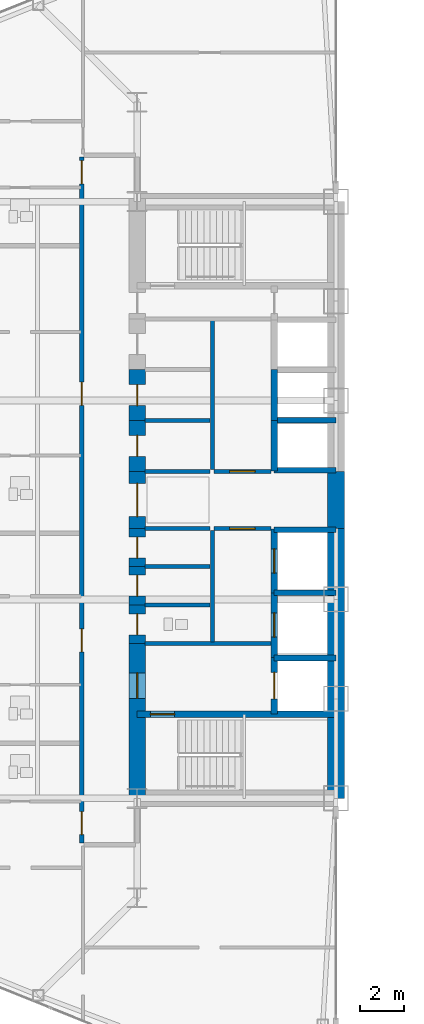
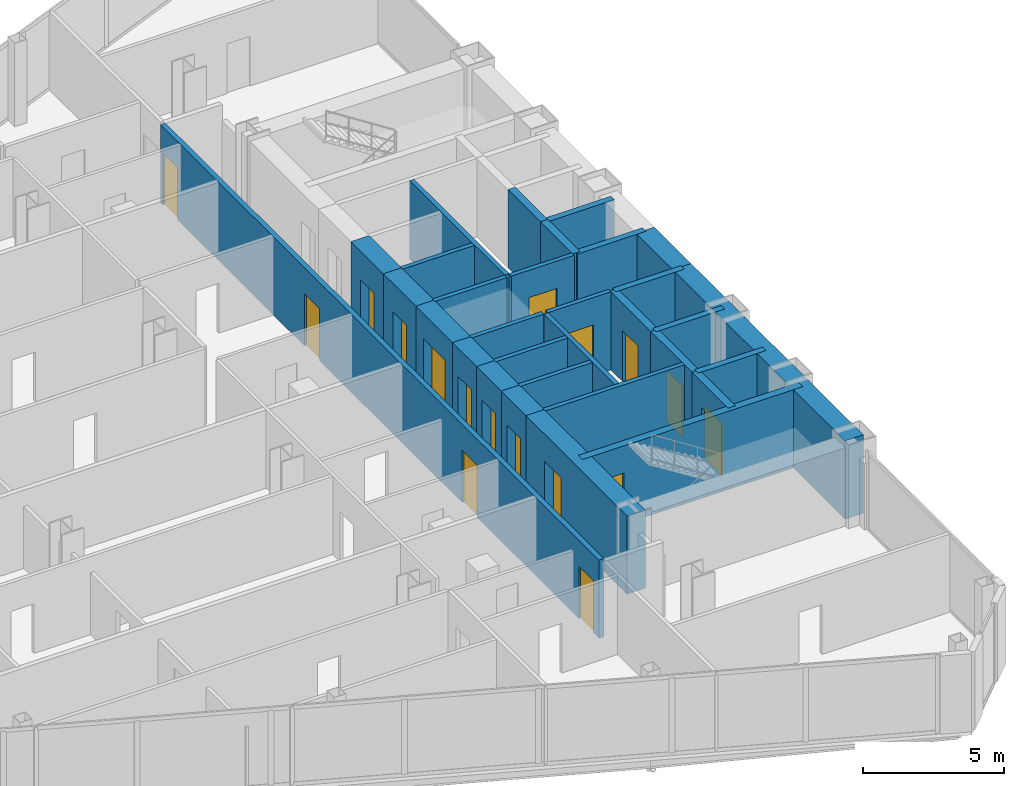
# One storey, part 18 of 25: 31 walls, 17 doors, 17 openings.
"""IFC4 building model written with IfcOpenShell, lengths in metres."""

from ifc_helpers import new_model, si_unit, direction, frame, frame_2d, origin, place, context, subcontext, project, spatial, rectangle, extrude, source, transform, mapped, material, layer, layer_set, type_object, type_shapes, element, fill, save


model = new_model("IFC4")

# Units and contexts
model_context = context("Model", 3, precision=1e-05, world=origin(), true_north=direction((0.0, 1.0)))
body_context = subcontext(model_context, "Body", "Model", "MODEL_VIEW")
ifc_project = project(units=[si_unit("LENGTHUNIT", "METRE"), si_unit("AREAUNIT", "SQUARE_METRE"), si_unit("VOLUMEUNIT", "CUBIC_METRE"), si_unit("PLANEANGLEUNIT", "RADIAN"), si_unit("MASSUNIT", "GRAM", prefix="KILO")], contexts=[model_context])

# Site, building, storey
site_placement = place(None, origin())
site = spatial("IfcSite", under=ifc_project, at=site_placement, CompositionType="ELEMENT")
building_placement = place(site_placement, origin())
building = spatial("IfcBuilding", under=site, at=building_placement, Name="Seokmaru Belvedere", CompositionType="ELEMENT")
storey_placement = place(building_placement, frame((0.0, 0.0, 36.89990234375)))
storey = spatial("IfcBuildingStorey", under=building, at=storey_placement, Name="L09", CompositionType="ELEMENT", Elevation=36.89990234375)

# Walls
ifc_material_1 = material(Name="Fire-Rated Gypsum Shaftwall")
ifc_layer_1 = layer(ifc_material_1, 0.179931640625)
ifc_layer_set_1 = layer_set([ifc_layer_1], Name="Fire-Rated Gypsum Shaftwall")
wall_type_1 = type_object("IfcWallType", Name="Core Service Fire Partition 180", PredefinedType="PARTITIONING", material=ifc_layer_set_1)
wall_1_placement = place(storey_placement, frame((-36.14990234375, -6.5, 0.0), z_axis=(0.0, 0.0, 1.0), x_axis=(1.0, 0.0, 0.0)))
element("IfcWall", 1, at=wall_1_placement, inside=storey, type_object=wall_type_1, Name="L09 West Firefighting Lobby Partition", PredefinedType="PARTITIONING", context=body_context, shape_type="SweptSolid", body=[
    extrude(rectangle(XDim=5.699951171875, YDim=0.179931640625, at=frame_2d((2.85009765625, 0.0))), origin(), (0.0, 0.0, 1.0), 3.380126953125),
])
wall_2_placement = place(storey_placement, frame((-33.10009765625, -6.419921875, 0.0), z_axis=(0.0, 0.0, 1.0), x_axis=(0.0, 1.0, 0.0)))
element("IfcWall", 2, at=wall_2_placement, inside=storey, type_object=wall_type_1, Name="L09 West South Core Service Back Wall", PredefinedType="PARTITIONING", context=body_context, shape_type="SweptSolid", body=[
    extrude(rectangle(XDim=5.0400390625, YDim=0.179931640625, at=frame_2d((2.52001953125, 0.0))), origin(), (0.0, 0.0, 1.0), 3.380126953125),
])
wall_3_placement = place(storey_placement, frame((-33.10009765625, 1.3798828125, 0.0), z_axis=(0.0, 0.0, 1.0), x_axis=(0.0, 1.0, 0.0)))
element("IfcWall", 3, at=wall_3_placement, inside=storey, type_object=wall_type_1, Name="L09 West North Core Service Back Wall", PredefinedType="PARTITIONING", context=body_context, shape_type="SweptSolid", body=[
    extrude(rectangle(XDim=6.740234375, YDim=0.179931640625, at=frame_2d((3.3701171875, 0.0))), origin(), (0.0, 0.0, 1.0), 3.380126953125),
])

# Wall, opening, door
wall_4_placement = place(storey_placement, frame((-33.02001953125, -1.300048828125, 0.0), z_axis=(0.0, 0.0, 1.0), x_axis=(1.0, 0.0, 0.0)))
wall_4 = element("IfcWall", 4, at=wall_4_placement, inside=storey, type_object=wall_type_1, Name="L09 West South Lift Lobby Foyer Wall", PredefinedType="PARTITIONING", context=body_context, shape_type="SweptSolid", body=[
    extrude(rectangle(XDim=2.570068359375, YDim=0.179931640625, at=frame_2d((1.28515625, 0.0))), origin(), (0.0, 0.0, 1.0), 3.380126953125),
])
opening_1_placement = place(wall_4_placement, frame((0.7099609375, 0.0, 0.0)))
opening_1 = element("IfcOpeningElement", 5, at=opening_1_placement, cuts=wall_4, Name="Opening D02", PredefinedType="OPENING", context=body_context, shape_type="SweptSolid", body=[
    extrude(rectangle(XDim=1.14990234375, YDim=2.199951171875, at=frame_2d((0.574951171875, 1.10009765625))), frame((0.0, 0.10009765625, 0.0), z_axis=(0.0, -1.0, 0.0), x_axis=(1.0, 0.0, 0.0)), (0.0, 0.0, 1.0), 0.199951171875),
])
ifc_material_2 = material(Name="Fire-Rated Steel Leaf", Category="steel")
door_type_1 = type_object("IfcDoorType", Name="Lobby and Vestibule Fire Door 1150x2200", OperationType="NOTDEFINED", PredefinedType="DOOR", material=ifc_material_2)
shared_shape_1 = source(origin(), body_context, "Body", "SweptSolid", [
    extrude(rectangle(XDim=1.14990234375, YDim=2.199951171875, at=frame_2d((0.574951171875, 1.10009765625))), frame((0.0, 0.02490234375, 0.0), z_axis=(0.0, -1.0, 0.0), x_axis=(1.0, 0.0, 0.0)), (0.0, 0.0, 1.0), 0.050048828125),
])
type_shapes(door_type_1, [shared_shape_1])
door_1_placement = place(opening_1_placement, origin())
door_1 = element("IfcDoor", 6, at=door_1_placement, inside=storey, type_object=door_type_1, Name="L09 West South Core Foyer Door", OperationType="SINGLE_SWING_LEFT", OverallHeight=2.199951171875, OverallWidth=1.14990234375, PredefinedType="DOOR", context=body_context, shape_type="MappedRepresentation", body=[
    mapped(shared_shape_1, transform((0.0, 0.0, 0.0), scale=1.0)),
])
fill(opening_1, door_1)

wall_5_placement = place(storey_placement, frame((-33.02001953125, 1.300048828125, 0.0), z_axis=(0.0, 0.0, 1.0), x_axis=(1.0, 0.0, 0.0)))
wall_5 = element("IfcWall", 7, at=wall_5_placement, inside=storey, type_object=wall_type_1, Name="L09 West North Lift Lobby Foyer Wall", PredefinedType="PARTITIONING", context=body_context, shape_type="SweptSolid", body=[
    extrude(rectangle(XDim=2.570068359375, YDim=0.179931640625, at=frame_2d((1.28515625, 0.0))), origin(), (0.0, 0.0, 1.0), 3.380126953125),
])
opening_2_placement = place(wall_5_placement, frame((0.7099609375, 0.0, 0.0)))
opening_2 = element("IfcOpeningElement", 8, at=opening_2_placement, cuts=wall_5, Name="Opening D02", PredefinedType="OPENING", context=body_context, shape_type="SweptSolid", body=[
    extrude(rectangle(XDim=1.14990234375, YDim=2.199951171875, at=frame_2d((0.574951171875, 1.10009765625))), frame((0.0, 0.10009765625, 0.0), z_axis=(0.0, -1.0, 0.0), x_axis=(1.0, 0.0, 0.0)), (0.0, 0.0, 1.0), 0.199951171875),
])
door_2_placement = place(opening_2_placement, origin())
door_2 = element("IfcDoor", 9, at=door_2_placement, inside=storey, type_object=door_type_1, Name="L09 West North Lift Lobby Door", OperationType="SINGLE_SWING_RIGHT", OverallHeight=2.199951171875, OverallWidth=1.14990234375, PredefinedType="DOOR", context=body_context, shape_type="MappedRepresentation", body=[
    mapped(shared_shape_1, transform((0.0, 0.0, 0.0), scale=1.0)),
])
fill(opening_2, door_2)

# Walls
for number, where, z_axis, x_axis, name in (
    (10, (-36.14990234375, -1.300048828125, 0.0), (0.0, 0.0, 1.0), (1.0, 0.0, 0.0), "L09 West Foyer Side Wall S"),
    (11, (-36.14990234375, 1.300048828125, 0.0), (0.0, 0.0, 1.0), (1.0, 0.0, 0.0), "L09 West Foyer Side Wall N"),
    (12, (-36.14990234375, -4.75, 0.0), (0.0, 0.0, 1.0), (1.0, 0.0, 0.0), "L09 West Core Service Partition 1"),
    (13, (-36.14990234375, -3.0, 0.0), (0.0, 0.0, 1.0), (1.0, 0.0, 0.0), "L09 West Core Service Partition 2"),
    (14, (-36.14990234375, 3.60009765625, 0.0), (0.0, 0.0, 1.0), (1.0, 0.0, 0.0), "L09 West Core Service Partition 3"),
):
    element("IfcWall", number, at=place(storey_placement, frame(where, z_axis=z_axis, x_axis=x_axis)), inside=storey, type_object=wall_type_1, Name=name, PredefinedType="PARTITIONING", context=body_context, shape_type="SweptSolid", body=[
        extrude(rectangle(XDim=2.949951171875, YDim=0.179931640625, at=frame_2d((1.47509765625, 0.0))), origin(), (0.0, 0.0, 1.0), 3.380126953125),
    ])
ifc_material_3 = material(Name="Concrete C50 (50 MPa)", Category="concrete")
ifc_layer_2 = layer(ifc_material_3, 0.25)
ifc_layer_set_2 = layer_set([ifc_layer_2], Name="Concrete C50 (50 MPa)")
wall_type_2 = type_object("IfcWallType", Name="Hoistway Transverse Concrete Divider Wall 250", PredefinedType="SHEAR", material=ifc_layer_set_2)
for number, where, z_axis, x_axis, name in (
    (15, (-30.300048828125, -7.14990234375, 0.0), (0.0, 0.0, 1.0), (1.0, 0.0, 0.0), "L09 West Hoistway Divider Core Wall 1"),
    (16, (-30.300048828125, -4.199951171875, 0.0), (0.0, 0.0, 1.0), (1.0, 0.0, 0.0), "L09 West Hoistway Divider Core Wall 2"),
    (17, (-30.300048828125, -1.35009765625, 0.0), (0.0, 0.0, 1.0), (1.0, 0.0, 0.0), "L09 West Hoistway Divider Core Wall 3"),
    (18, (-30.300048828125, 1.35009765625, 0.0), (0.0, 0.0, 1.0), (1.0, 0.0, 0.0), "L09 West Hoistway Divider Core Wall 4"),
    (19, (-30.300048828125, 3.60009765625, 0.0), (0.0, 0.0, 1.0), (1.0, 0.0, 0.0), "L09 West Hoistway Divider Core Wall 5"),
):
    element("IfcWall", number, at=place(storey_placement, frame(where, z_axis=z_axis, x_axis=x_axis)), inside=storey, type_object=wall_type_2, Name=name, PredefinedType="SHEAR", context=body_context, shape_type="SweptSolid", body=[
        extrude(rectangle(XDim=2.800048828125, YDim=0.25, at=frame_2d((1.39990234375, 0.0))), origin(), (0.0, 0.0, 1.0), 3.380126953125),
    ])

# Wall, openings, doors
ifc_layer_3 = layer(ifc_material_1, 0.199951171875)
ifc_layer_set_3 = layer_set([ifc_layer_3], Name="Fire-Rated Gypsum Shaftwall")
wall_type_3 = type_object("IfcWallType", Name="Inter-Tenancy Fire Compartment Partition 200", PredefinedType="PARTITIONING", material=ifc_layer_set_3)
wall_6_placement = place(storey_placement, frame((-39.0, -15.514892578125, 0.0), z_axis=(0.0, 0.0, 1.0), x_axis=(0.0, 1.0, 0.0)))
wall_6 = element("IfcWall", 20, at=wall_6_placement, inside=storey, type_object=wall_type_3, Name="L09 Interior Partition 052", PredefinedType="PARTITIONING", context=body_context, shape_type="SweptSolid", body=[
    extrude(rectangle(XDim=31.02978515625, YDim=0.199951171875, at=frame_2d((15.514892578125, 0.0))), origin(), (0.0, 0.0, 1.0), 3.380126953125),
])
opening_3_placement = place(wall_6_placement, frame((0.367431640625, 0.0, 0.0)))
opening_3 = element("IfcOpeningElement", 21, at=opening_3_placement, cuts=wall_6, Name="Opening D03", PredefinedType="OPENING", context=body_context, shape_type="SweptSolid", body=[
    extrude(rectangle(XDim=1.050048828125, YDim=2.25, at=frame_2d((0.52490234375, 1.125))), frame((0.0, 0.10986328125, 0.0), z_axis=(0.0, -1.0, 0.0), x_axis=(1.0, 0.0, 0.0)), (0.0, 0.0, 1.0), 0.219970703125),
])
opening_4_placement = place(wall_6_placement, frame((8.638427734375, 0.0, 0.0)))
opening_4 = element("IfcOpeningElement", 22, at=opening_4_placement, cuts=wall_6, Name="Opening D03", PredefinedType="OPENING", context=body_context, shape_type="SweptSolid", body=[
    extrude(rectangle(XDim=1.050048828125, YDim=2.25, at=frame_2d((0.52490234375, 1.125))), frame((0.0, 0.10986328125, 0.0), z_axis=(0.0, -1.0, 0.0), x_axis=(1.0, 0.0, 0.0)), (0.0, 0.0, 1.0), 0.219970703125),
])
opening_5_placement = place(wall_6_placement, frame((19.794921875, 0.0, 0.0)))
opening_5 = element("IfcOpeningElement", 23, at=opening_5_placement, cuts=wall_6, Name="Opening D03", PredefinedType="OPENING", context=body_context, shape_type="SweptSolid", body=[
    extrude(rectangle(XDim=1.050048828125, YDim=2.25, at=frame_2d((0.52490234375, 1.125))), frame((0.0, 0.10986328125, 0.0), z_axis=(0.0, -1.0, 0.0), x_axis=(1.0, 0.0, 0.0)), (0.0, 0.0, 1.0), 0.219970703125),
])
opening_6_placement = place(wall_6_placement, frame((29.820068359375, 0.0, 0.0)))
opening_6 = element("IfcOpeningElement", 24, at=opening_6_placement, cuts=wall_6, Name="Opening D03", PredefinedType="OPENING", context=body_context, shape_type="SweptSolid", body=[
    extrude(rectangle(XDim=1.050048828125, YDim=2.25, at=frame_2d((0.52490234375, 1.125))), frame((0.0, 0.10986328125, 0.0), z_axis=(0.0, -1.0, 0.0), x_axis=(1.0, 0.0, 0.0)), (0.0, 0.0, 1.0), 0.219970703125),
])
door_type_2 = type_object("IfcDoorType", Name="Apartment Entrance Fire Door 1050x2250", OperationType="NOTDEFINED", PredefinedType="DOOR", material=ifc_material_2)
shared_shape_2 = source(origin(), body_context, "Body", "SweptSolid", [
    extrude(rectangle(XDim=1.050048828125, YDim=2.25, at=frame_2d((0.52490234375, 1.125))), frame((0.0, 0.02490234375, 0.0), z_axis=(0.0, -1.0, 0.0), x_axis=(1.0, 0.0, 0.0)), (0.0, 0.0, 1.0), 0.050048828125),
])
type_shapes(door_type_2, [shared_shape_2])
door_3_placement = place(opening_3_placement, origin())
door_3 = element("IfcDoor", 25, at=door_3_placement, inside=storey, type_object=door_type_2, Name="L09 Interior Door 001", OperationType="SINGLE_SWING_RIGHT", OverallHeight=2.25, OverallWidth=1.050048828125, PredefinedType="DOOR", context=body_context, shape_type="MappedRepresentation", body=[
    mapped(shared_shape_2, transform((0.0, 0.0, 0.0), scale=1.0)),
])
fill(opening_3, door_3)
door_4_placement = place(opening_4_placement, origin())
door_4 = element("IfcDoor", 26, at=door_4_placement, inside=storey, type_object=door_type_2, Name="L09 Interior Door 011", OperationType="SINGLE_SWING_LEFT", OverallHeight=2.25, OverallWidth=1.050048828125, PredefinedType="DOOR", context=body_context, shape_type="MappedRepresentation", body=[
    mapped(shared_shape_2, transform((0.0, 0.0, 0.0), scale=1.0)),
])
fill(opening_4, door_4)
door_5_placement = place(opening_5_placement, origin())
door_5 = element("IfcDoor", 27, at=door_5_placement, inside=storey, type_object=door_type_2, Name="L09 Interior Door 020", OperationType="SINGLE_SWING_RIGHT", OverallHeight=2.25, OverallWidth=1.050048828125, PredefinedType="DOOR", context=body_context, shape_type="MappedRepresentation", body=[
    mapped(shared_shape_2, transform((0.0, 0.0, 0.0), scale=1.0)),
])
fill(opening_5, door_5)
door_6_placement = place(opening_6_placement, origin())
door_6 = element("IfcDoor", 28, at=door_6_placement, inside=storey, type_object=door_type_2, Name="L09 Interior Door 032", OperationType="SINGLE_SWING_LEFT", OverallHeight=2.25, OverallWidth=1.050048828125, PredefinedType="DOOR", context=body_context, shape_type="MappedRepresentation", body=[
    mapped(shared_shape_2, transform((0.0, 0.0, 0.0), scale=1.0)),
])
fill(opening_6, door_6)

# Wall, opening, door
ifc_layer_4 = layer(ifc_material_3, 0.300048828125)
ifc_layer_set_4 = layer_set([ifc_layer_4], Name="Concrete C50 (50 MPa)")
wall_type_4 = type_object("IfcWallType", Name="Internal Core Stair and Hoistway Wall 300", PredefinedType="SHEAR", material=ifc_layer_set_4)
wall_7_placement = place(storey_placement, frame((-36.5, -9.699951171875, 0.0), z_axis=(0.0, 0.0, 1.0), x_axis=(1.0, 0.0, 0.0)))
wall_7 = element("IfcWall", 29, at=wall_7_placement, inside=storey, type_object=wall_type_4, Name="L09 West Stair ST-1 Enclosure Wall", PredefinedType="SHEAR", context=body_context, shape_type="SweptSolid", body=[
    extrude(rectangle(XDim=9.0, YDim=0.300048828125, at=frame_2d((4.5, 0.0))), origin(), (0.0, 0.0, 1.0), 3.380126953125),
])
opening_7_placement = place(wall_7_placement, frame((0.60009765625, 0.0, 0.0)))
opening_7 = element("IfcOpeningElement", 30, at=opening_7_placement, cuts=wall_7, Name="Opening D01", PredefinedType="OPENING", context=body_context, shape_type="SweptSolid", body=[
    extrude(rectangle(XDim=1.10009765625, YDim=2.199951171875, at=frame_2d((0.550048828125, 1.10009765625))), frame((0.0, 0.16015625, 0.0), z_axis=(0.0, -1.0, 0.0), x_axis=(1.0, 0.0, 0.0)), (0.0, 0.0, 1.0), 0.320068359375),
])
door_type_3 = type_object("IfcDoorType", Name="Special Escape Stair Smokeproof Fire Door 1100x2200", OperationType="NOTDEFINED", PredefinedType="DOOR", material=ifc_material_2)
shared_shape_3 = source(origin(), body_context, "Body", "SweptSolid", [
    extrude(rectangle(XDim=1.10009765625, YDim=2.199951171875, at=frame_2d((0.550048828125, 1.10009765625))), frame((0.0, 0.02490234375, 0.0), z_axis=(0.0, -1.0, 0.0), x_axis=(1.0, 0.0, 0.0)), (0.0, 0.0, 1.0), 0.050048828125),
])
type_shapes(door_type_3, [shared_shape_3])
door_7_placement = place(opening_7_placement, frame((1.10009765625, 0.0, 0.0), z_axis=(0.0, 0.0, 1.0), x_axis=(-1.0, 0.0, 0.0)))
door_7 = element("IfcDoor", 31, at=door_7_placement, inside=storey, type_object=door_type_3, Name="L09 West Special Escape Stair ST-1 Door", OperationType="SINGLE_SWING_LEFT", OverallHeight=2.199951171875, OverallWidth=1.10009765625, PredefinedType="DOOR", context=body_context, shape_type="MappedRepresentation", body=[
    mapped(shared_shape_3, transform((0.0, 0.0, 0.0), scale=1.0)),
])
fill(opening_7, door_7)

wall_8_placement = place(storey_placement, frame((-30.300048828125, -9.679931640625, 0.0), z_axis=(0.0, 0.0, 1.0), x_axis=(0.0, 1.0, 0.0)))
wall_8 = element("IfcWall", 32, at=wall_8_placement, inside=storey, type_object=wall_type_4, Name="L09 West Firefighting Lift Shaft Front Wall", PredefinedType="SHEAR", context=body_context, shape_type="SweptSolid", body=[
    extrude(rectangle(XDim=2.559814453125, YDim=0.300048828125, at=frame_2d((1.27978515625, 0.0))), origin(), (0.0, 0.0, 1.0), 3.380126953125),
])
opening_8_placement = place(wall_8_placement, frame((0.679931640625, 0.0, 0.0)))
opening_8 = element("IfcOpeningElement", 33, at=opening_8_placement, cuts=wall_8, Name="Opening LD2", PredefinedType="OPENING", context=body_context, shape_type="SweptSolid", body=[
    extrude(rectangle(XDim=1.199951171875, YDim=2.25, at=frame_2d((0.60009765625, 1.125))), frame((0.0, 0.16015625, 0.0), z_axis=(0.0, -1.0, 0.0), x_axis=(1.0, 0.0, 0.0)), (0.0, 0.0, 1.0), 0.320068359375),
])
ifc_material_4 = material(Name="Stainless Steel 316", Category="steel")
door_type_4 = type_object("IfcDoorType", Name="Firefighting Lift Sliding Landing Door 1200x2250", OperationType="DOUBLE_DOOR_SLIDING", PredefinedType="DOOR", material=ifc_material_4)
shared_shape_4 = source(origin(), body_context, "Body", "SweptSolid", [
    extrude(rectangle(XDim=1.199951171875, YDim=2.25, at=frame_2d((0.60009765625, 1.125))), frame((0.0, 0.02490234375, 0.0), z_axis=(0.0, -1.0, 0.0), x_axis=(1.0, 0.0, 0.0)), (0.0, 0.0, 1.0), 0.050048828125),
])
type_shapes(door_type_4, [shared_shape_4])
door_8_placement = place(opening_8_placement, origin())
door_8 = element("IfcDoor", 34, at=door_8_placement, inside=storey, type_object=door_type_4, Name="L09 West Firefighting Lift Landing Door", OperationType="DOUBLE_DOOR_SLIDING", OverallHeight=2.25, OverallWidth=1.199951171875, PredefinedType="DOOR", context=body_context, shape_type="MappedRepresentation", body=[
    mapped(shared_shape_4, transform((0.0, 0.0, 0.0), scale=1.0)),
])
fill(opening_8, door_8)

wall_9_placement = place(storey_placement, frame((-30.300048828125, -7.1201171875, 0.0), z_axis=(0.0, 0.0, 1.0), x_axis=(0.0, 1.0, 0.0)))
wall_9 = element("IfcWall", 35, at=wall_9_placement, inside=storey, type_object=wall_type_4, Name="L09 West Low-Rise Lift PL-1 Front Wall", PredefinedType="SHEAR", context=body_context, shape_type="SweptSolid", body=[
    extrude(rectangle(XDim=2.920166015625, YDim=0.300048828125, at=frame_2d((1.4599609375, 0.0))), origin(), (0.0, 0.0, 1.0), 3.380126953125),
])
opening_9_placement = place(wall_9_placement, frame((0.909912109375, 0.0, 0.0)))
opening_9 = element("IfcOpeningElement", 36, at=opening_9_placement, cuts=wall_9, Name="Opening LD1", PredefinedType="OPENING", context=body_context, shape_type="SweptSolid", body=[
    extrude(rectangle(XDim=1.10009765625, YDim=2.199951171875, at=frame_2d((0.550048828125, 1.10009765625))), frame((0.0, 0.16015625, 0.0), z_axis=(0.0, -1.0, 0.0), x_axis=(1.0, 0.0, 0.0)), (0.0, 0.0, 1.0), 0.320068359375),
])
door_type_5 = type_object("IfcDoorType", Name="Passenger Lift Sliding Landing Door 1100x2200", OperationType="DOUBLE_DOOR_SLIDING", PredefinedType="DOOR", material=ifc_material_4)
shared_shape_5 = source(origin(), body_context, "Body", "SweptSolid", [
    extrude(rectangle(XDim=1.10009765625, YDim=2.199951171875, at=frame_2d((0.550048828125, 1.10009765625))), frame((0.0, 0.02490234375, 0.0), z_axis=(0.0, -1.0, 0.0), x_axis=(1.0, 0.0, 0.0)), (0.0, 0.0, 1.0), 0.050048828125),
])
type_shapes(door_type_5, [shared_shape_5])
door_9_placement = place(opening_9_placement, origin())
door_9 = element("IfcDoor", 37, at=door_9_placement, inside=storey, type_object=door_type_5, Name="L09 West Low-Rise Lift PL-1 Landing Door", OperationType="DOUBLE_DOOR_SLIDING", OverallHeight=2.199951171875, OverallWidth=1.10009765625, PredefinedType="DOOR", context=body_context, shape_type="MappedRepresentation", body=[
    mapped(shared_shape_5, transform((0.0, 0.0, 0.0), scale=1.0)),
])
fill(opening_9, door_9)

wall_10_placement = place(storey_placement, frame((-30.300048828125, -4.199951171875, 0.0), z_axis=(0.0, 0.0, 1.0), x_axis=(0.0, 1.0, 0.0)))
wall_10 = element("IfcWall", 38, at=wall_10_placement, inside=storey, type_object=wall_type_4, Name="L09 West Low-Rise Lift PL-2 Front Wall", PredefinedType="SHEAR", context=body_context, shape_type="SweptSolid", body=[
    extrude(rectangle(XDim=2.8798828125, YDim=0.300048828125, at=frame_2d((1.43994140625, 0.0))), origin(), (0.0, 0.0, 1.0), 3.380126953125),
])
opening_10_placement = place(wall_10_placement, frame((0.889892578125, 0.0, 0.0)))
opening_10 = element("IfcOpeningElement", 39, at=opening_10_placement, cuts=wall_10, Name="Opening LD1", PredefinedType="OPENING", context=body_context, shape_type="SweptSolid", body=[
    extrude(rectangle(XDim=1.10009765625, YDim=2.199951171875, at=frame_2d((0.550048828125, 1.10009765625))), frame((0.0, 0.16015625, 0.0), z_axis=(0.0, -1.0, 0.0), x_axis=(1.0, 0.0, 0.0)), (0.0, 0.0, 1.0), 0.320068359375),
])
door_10_placement = place(opening_10_placement, origin())
door_10 = element("IfcDoor", 40, at=door_10_placement, inside=storey, type_object=door_type_5, Name="L09 West Low-Rise Lift PL-2 Landing Door", OperationType="DOUBLE_DOOR_SLIDING", OverallHeight=2.199951171875, OverallWidth=1.10009765625, PredefinedType="DOOR", context=body_context, shape_type="MappedRepresentation", body=[
    mapped(shared_shape_5, transform((0.0, 0.0, 0.0), scale=1.0)),
])
fill(opening_10, door_10)

# Walls
wall_11_placement = place(storey_placement, frame((-30.300048828125, 1.320068359375, 0.0), z_axis=(0.0, 0.0, 1.0), x_axis=(0.0, 1.0, 0.0)))
element("IfcWall", 41, at=wall_11_placement, inside=storey, type_object=wall_type_4, Name="L09 West North Hoistway Wall PH1", PredefinedType="SHEAR", context=body_context, shape_type="SweptSolid", body=[
    extrude(rectangle(XDim=2.280029296875, YDim=0.300048828125, at=frame_2d((1.14013671875, 0.0))), origin(), (0.0, 0.0, 1.0), 3.380126953125),
])
wall_12_placement = place(storey_placement, frame((-30.300048828125, 3.60009765625, 0.0), z_axis=(0.0, 0.0, 1.0), x_axis=(0.0, 1.0, 0.0)))
element("IfcWall", 42, at=wall_12_placement, inside=storey, type_object=wall_type_4, Name="L09 West North Hoistway Wall PH2", PredefinedType="SHEAR", context=body_context, shape_type="SweptSolid", body=[
    extrude(rectangle(XDim=2.2998046875, YDim=0.300048828125, at=frame_2d((1.14990234375, 0.0))), origin(), (0.0, 0.0, 1.0), 3.380126953125),
])
ifc_material_5 = material(Name="Concrete C60 (60 MPa)", Category="concrete")
ifc_layer_5 = layer(ifc_material_5, 0.75)
ifc_layer_set_5 = layer_set([ifc_layer_5], Name="Concrete C60 (60 MPa)")
wall_type_5 = type_object("IfcWallType", Name="Lower Tower Reinforced Concrete Core Wall 750", PredefinedType="SHEAR", material=ifc_layer_set_5)
wall_13_placement = place(storey_placement, frame((-27.5, -13.5, 0.0), z_axis=(0.0, 0.0, 1.0), x_axis=(0.0, 1.0, 0.0)))
element("IfcWall", 43, at=wall_13_placement, inside=storey, type_object=wall_type_5, Name="L09 West Portal Spine Core Wall South", PredefinedType="SHEAR", context=body_context, shape_type="SweptSolid", body=[
    extrude(rectangle(XDim=12.199951171875, YDim=0.75, at=frame_2d((6.10009765625, 0.0))), origin(), (0.0, 0.0, 1.0), 3.380126953125),
])
wall_14_placement = place(storey_placement, frame((-27.5, -1.300048828125, 0.0), z_axis=(0.0, 0.0, 1.0), x_axis=(0.0, 1.0, 0.0)))
element("IfcWall", 44, at=wall_14_placement, inside=storey, type_object=wall_type_5, Name="L09 West Portal Spine Core Wall Center", PredefinedType="SHEAR", context=body_context, shape_type="SweptSolid", body=[
    extrude(rectangle(XDim=2.60009765625, YDim=0.75, at=frame_2d((1.300048828125, 0.0))), origin(), (0.0, 0.0, 1.0), 3.380126953125),
])

# Wall, opening, door
wall_15_placement = place(storey_placement, frame((-36.5, -13.64990234375, 0.0), z_axis=(0.0, 0.0, 1.0), x_axis=(0.0, 1.0, 0.0)))
wall_15 = element("IfcWall", 45, at=wall_15_placement, inside=storey, type_object=wall_type_5, Name="L09 West West Core Wall FF", PredefinedType="SHEAR", context=body_context, shape_type="SweptSolid", body=[
    extrude(rectangle(XDim=7.14990234375, YDim=0.75, at=frame_2d((3.574951171875, 0.0))), origin(), (0.0, 0.0, 1.0), 3.380126953125),
])
opening_11_placement = place(wall_15_placement, frame((4.675048828125, 0.0, 0.0)))
opening_11 = element("IfcOpeningElement", 46, at=opening_11_placement, cuts=wall_15, Name="Opening D02", PredefinedType="OPENING", context=body_context, shape_type="SweptSolid", body=[
    extrude(rectangle(XDim=1.14990234375, YDim=2.199951171875, at=frame_2d((0.574951171875, 1.10009765625))), frame((0.0, 0.385009765625, 0.0), z_axis=(0.0, -1.0, 0.0), x_axis=(1.0, 0.0, 0.0)), (0.0, 0.0, 1.0), 0.77001953125),
])
door_11_placement = place(opening_11_placement, frame((1.14990234375, 0.0, 0.0), z_axis=(0.0, 0.0, 1.0), x_axis=(-1.0, 0.0, 0.0)))
door_11 = element("IfcDoor", 47, at=door_11_placement, inside=storey, type_object=door_type_1, Name="L09 West Firefighting Lobby Door", OperationType="SINGLE_SWING_LEFT", OverallHeight=2.199951171875, OverallWidth=1.14990234375, PredefinedType="DOOR", context=body_context, shape_type="MappedRepresentation", body=[
    mapped(shared_shape_1, transform((0.0, 0.0, 0.0), scale=1.0)),
])
fill(opening_11, door_11)

wall_16_placement = place(storey_placement, frame((-36.5, -1.300048828125, 0.0), z_axis=(0.0, 0.0, 1.0), x_axis=(0.0, 1.0, 0.0)))
wall_16 = element("IfcWall", 48, at=wall_16_placement, inside=storey, type_object=wall_type_5, Name="L09 West West Core Wall FOY", PredefinedType="SHEAR", context=body_context, shape_type="SweptSolid", body=[
    extrude(rectangle(XDim=2.60009765625, YDim=0.75, at=frame_2d((1.300048828125, 0.0))), origin(), (0.0, 0.0, 1.0), 3.380126953125),
])
opening_12_placement = place(wall_16_placement, frame((0.550048828125, 0.0, 0.0)))
opening_12 = element("IfcOpeningElement", 49, at=opening_12_placement, cuts=wall_16, Name="Opening D08", PredefinedType="OPENING", context=body_context, shape_type="SweptSolid", body=[
    extrude(rectangle(XDim=1.5, YDim=2.300048828125, at=frame_2d((0.75, 1.14990234375))), frame((0.0, 0.385009765625, 0.0), z_axis=(0.0, -1.0, 0.0), x_axis=(1.0, 0.0, 0.0)), (0.0, 0.0, 1.0), 0.77001953125),
])
door_type_6 = type_object("IfcDoorType", Name="Cross-Corridor Compartment Double Fire Door 1500x2300", OperationType="DOUBLE_SWING_LEFT", PredefinedType="DOOR", material=ifc_material_2)
shared_shape_6 = source(origin(), body_context, "Body", "SweptSolid", [
    extrude(rectangle(XDim=1.5, YDim=2.300048828125, at=frame_2d((0.75, 1.14990234375))), frame((0.0, 0.02490234375, 0.0), z_axis=(0.0, -1.0, 0.0), x_axis=(1.0, 0.0, 0.0)), (0.0, 0.0, 1.0), 0.050048828125),
])
type_shapes(door_type_6, [shared_shape_6])
door_12_placement = place(opening_12_placement, origin())
door_12 = element("IfcDoor", 50, at=door_12_placement, inside=storey, type_object=door_type_6, Name="L09 West Core Foyer Compartment Door", OperationType="DOUBLE_SWING_LEFT", OverallHeight=2.300048828125, OverallWidth=1.5, PredefinedType="DOOR", context=body_context, shape_type="MappedRepresentation", body=[
    mapped(shared_shape_6, transform((0.0, 0.0, 0.0), scale=1.0)),
])
fill(opening_12, door_12)

wall_17_placement = place(storey_placement, frame((-36.5, -6.5, 0.0), z_axis=(0.0, 0.0, 1.0), x_axis=(0.0, 1.0, 0.0)))
wall_17 = element("IfcWall", 51, at=wall_17_placement, inside=storey, type_object=wall_type_5, Name="L09 West West Core Wall CS1", PredefinedType="SHEAR", context=body_context, shape_type="SweptSolid", body=[
    extrude(rectangle(XDim=1.75, YDim=0.75, at=frame_2d((0.875, 0.0))), origin(), (0.0, 0.0, 1.0), 3.380126953125),
])
opening_13_placement = place(wall_17_placement, frame((0.39990234375, 0.0, 0.0)))
opening_13 = element("IfcOpeningElement", 52, at=opening_13_placement, cuts=wall_17, Name="Opening D04", PredefinedType="OPENING", context=body_context, shape_type="SweptSolid", body=[
    extrude(rectangle(XDim=0.949951171875, YDim=2.14990234375, at=frame_2d((0.47509765625, 1.074951171875))), frame((0.0, 0.385009765625, 0.0), z_axis=(0.0, -1.0, 0.0), x_axis=(1.0, 0.0, 0.0)), (0.0, 0.0, 1.0), 0.77001953125),
])
door_type_7 = type_object("IfcDoorType", Name="Core Service Room Fire Door 950x2150", OperationType="NOTDEFINED", PredefinedType="DOOR", material=ifc_material_2)
shared_shape_7 = source(origin(), body_context, "Body", "SweptSolid", [
    extrude(rectangle(XDim=0.949951171875, YDim=2.14990234375, at=frame_2d((0.47509765625, 1.074951171875))), frame((0.0, 0.02490234375, 0.0), z_axis=(0.0, -1.0, 0.0), x_axis=(1.0, 0.0, 0.0)), (0.0, 0.0, 1.0), 0.050048828125),
])
type_shapes(door_type_7, [shared_shape_7])
door_13_placement = place(opening_13_placement, origin())
door_13 = element("IfcDoor", 53, at=door_13_placement, inside=storey, type_object=door_type_7, Name="L09 West Core Service Room Door 1", OperationType="SINGLE_SWING_LEFT", OverallHeight=2.14990234375, OverallWidth=0.949951171875, PredefinedType="DOOR", context=body_context, shape_type="MappedRepresentation", body=[
    mapped(shared_shape_7, transform((0.0, 0.0, 0.0), scale=1.0)),
])
fill(opening_13, door_13)

wall_18_placement = place(storey_placement, frame((-36.5, -4.75, 0.0), z_axis=(0.0, 0.0, 1.0), x_axis=(0.0, 1.0, 0.0)))
wall_18 = element("IfcWall", 54, at=wall_18_placement, inside=storey, type_object=wall_type_5, Name="L09 West West Core Wall CS2", PredefinedType="SHEAR", context=body_context, shape_type="SweptSolid", body=[
    extrude(rectangle(XDim=1.75, YDim=0.75, at=frame_2d((0.875, 0.0))), origin(), (0.0, 0.0, 1.0), 3.380126953125),
])
opening_14_placement = place(wall_18_placement, frame((0.39990234375, 0.0, 0.0)))
opening_14 = element("IfcOpeningElement", 55, at=opening_14_placement, cuts=wall_18, Name="Opening D04", PredefinedType="OPENING", context=body_context, shape_type="SweptSolid", body=[
    extrude(rectangle(XDim=0.949951171875, YDim=2.14990234375, at=frame_2d((0.47509765625, 1.074951171875))), frame((0.0, 0.385009765625, 0.0), z_axis=(0.0, -1.0, 0.0), x_axis=(1.0, 0.0, 0.0)), (0.0, 0.0, 1.0), 0.77001953125),
])
door_14_placement = place(opening_14_placement, origin())
door_14 = element("IfcDoor", 56, at=door_14_placement, inside=storey, type_object=door_type_7, Name="L09 West Core Service Room Door 2", OperationType="SINGLE_SWING_RIGHT", OverallHeight=2.14990234375, OverallWidth=0.949951171875, PredefinedType="DOOR", context=body_context, shape_type="MappedRepresentation", body=[
    mapped(shared_shape_7, transform((0.0, 0.0, 0.0), scale=1.0)),
])
fill(opening_14, door_14)

wall_19_placement = place(storey_placement, frame((-36.5, -3.0, 0.0), z_axis=(0.0, 0.0, 1.0), x_axis=(0.0, 1.0, 0.0)))
wall_19 = element("IfcWall", 57, at=wall_19_placement, inside=storey, type_object=wall_type_5, Name="L09 West West Core Wall CS3", PredefinedType="SHEAR", context=body_context, shape_type="SweptSolid", body=[
    extrude(rectangle(XDim=1.699951171875, YDim=0.75, at=frame_2d((0.85009765625, 0.0))), origin(), (0.0, 0.0, 1.0), 3.380126953125),
])
opening_15_placement = place(wall_19_placement, frame((0.375, 0.0, 0.0)))
opening_15 = element("IfcOpeningElement", 58, at=opening_15_placement, cuts=wall_19, Name="Opening D04", PredefinedType="OPENING", context=body_context, shape_type="SweptSolid", body=[
    extrude(rectangle(XDim=0.949951171875, YDim=2.14990234375, at=frame_2d((0.47509765625, 1.074951171875))), frame((0.0, 0.385009765625, 0.0), z_axis=(0.0, -1.0, 0.0), x_axis=(1.0, 0.0, 0.0)), (0.0, 0.0, 1.0), 0.77001953125),
])
door_15_placement = place(opening_15_placement, origin())
door_15 = element("IfcDoor", 59, at=door_15_placement, inside=storey, type_object=door_type_7, Name="L09 West Core Service Room Door 3", OperationType="SINGLE_SWING_LEFT", OverallHeight=2.14990234375, OverallWidth=0.949951171875, PredefinedType="DOOR", context=body_context, shape_type="MappedRepresentation", body=[
    mapped(shared_shape_7, transform((0.0, 0.0, 0.0), scale=1.0)),
])
fill(opening_15, door_15)

wall_20_placement = place(storey_placement, frame((-36.5, 1.300048828125, 0.0), z_axis=(0.0, 0.0, 1.0), x_axis=(0.0, 1.0, 0.0)))
wall_20 = element("IfcWall", 60, at=wall_20_placement, inside=storey, type_object=wall_type_5, Name="L09 West West Core Wall CS4", PredefinedType="SHEAR", context=body_context, shape_type="SweptSolid", body=[
    extrude(rectangle(XDim=2.300048828125, YDim=0.75, at=frame_2d((1.14990234375, 0.0))), origin(), (0.0, 0.0, 1.0), 3.380126953125),
])
opening_16_placement = place(wall_20_placement, frame((0.675048828125, 0.0, 0.0)))
opening_16 = element("IfcOpeningElement", 61, at=opening_16_placement, cuts=wall_20, Name="Opening D04", PredefinedType="OPENING", context=body_context, shape_type="SweptSolid", body=[
    extrude(rectangle(XDim=0.949951171875, YDim=2.14990234375, at=frame_2d((0.47509765625, 1.074951171875))), frame((0.0, 0.385009765625, 0.0), z_axis=(0.0, -1.0, 0.0), x_axis=(1.0, 0.0, 0.0)), (0.0, 0.0, 1.0), 0.77001953125),
])
door_16_placement = place(opening_16_placement, origin())
door_16 = element("IfcDoor", 62, at=door_16_placement, inside=storey, type_object=door_type_7, Name="L09 West Core Service Room Door 4", OperationType="SINGLE_SWING_RIGHT", OverallHeight=2.14990234375, OverallWidth=0.949951171875, PredefinedType="DOOR", context=body_context, shape_type="MappedRepresentation", body=[
    mapped(shared_shape_7, transform((0.0, 0.0, 0.0), scale=1.0)),
])
fill(opening_16, door_16)

wall_21_placement = place(storey_placement, frame((-36.5, 3.60009765625, 0.0), z_axis=(0.0, 0.0, 1.0), x_axis=(0.0, 1.0, 0.0)))
wall_21 = element("IfcWall", 63, at=wall_21_placement, inside=storey, type_object=wall_type_5, Name="L09 West West Core Wall CS5", PredefinedType="SHEAR", context=body_context, shape_type="SweptSolid", body=[
    extrude(rectangle(XDim=2.2998046875, YDim=0.75, at=frame_2d((1.14990234375, 0.0))), origin(), (0.0, 0.0, 1.0), 3.380126953125),
])
opening_17_placement = place(wall_21_placement, frame((0.675048828125, 0.0, 0.0)))
opening_17 = element("IfcOpeningElement", 64, at=opening_17_placement, cuts=wall_21, Name="Opening D04", PredefinedType="OPENING", context=body_context, shape_type="SweptSolid", body=[
    extrude(rectangle(XDim=0.949951171875, YDim=2.14990234375, at=frame_2d((0.47509765625, 1.074951171875))), frame((0.0, 0.385009765625, 0.0), z_axis=(0.0, -1.0, 0.0), x_axis=(1.0, 0.0, 0.0)), (0.0, 0.0, 1.0), 0.77001953125),
])
door_17_placement = place(opening_17_placement, origin())
door_17 = element("IfcDoor", 65, at=door_17_placement, inside=storey, type_object=door_type_7, Name="L09 West Core Service Room Door 5", OperationType="SINGLE_SWING_LEFT", OverallHeight=2.14990234375, OverallWidth=0.949951171875, PredefinedType="DOOR", context=body_context, shape_type="MappedRepresentation", body=[
    mapped(shared_shape_7, transform((0.0, 0.0, 0.0), scale=1.0)),
])
fill(opening_17, door_17)

save(model, "model.ifc")
